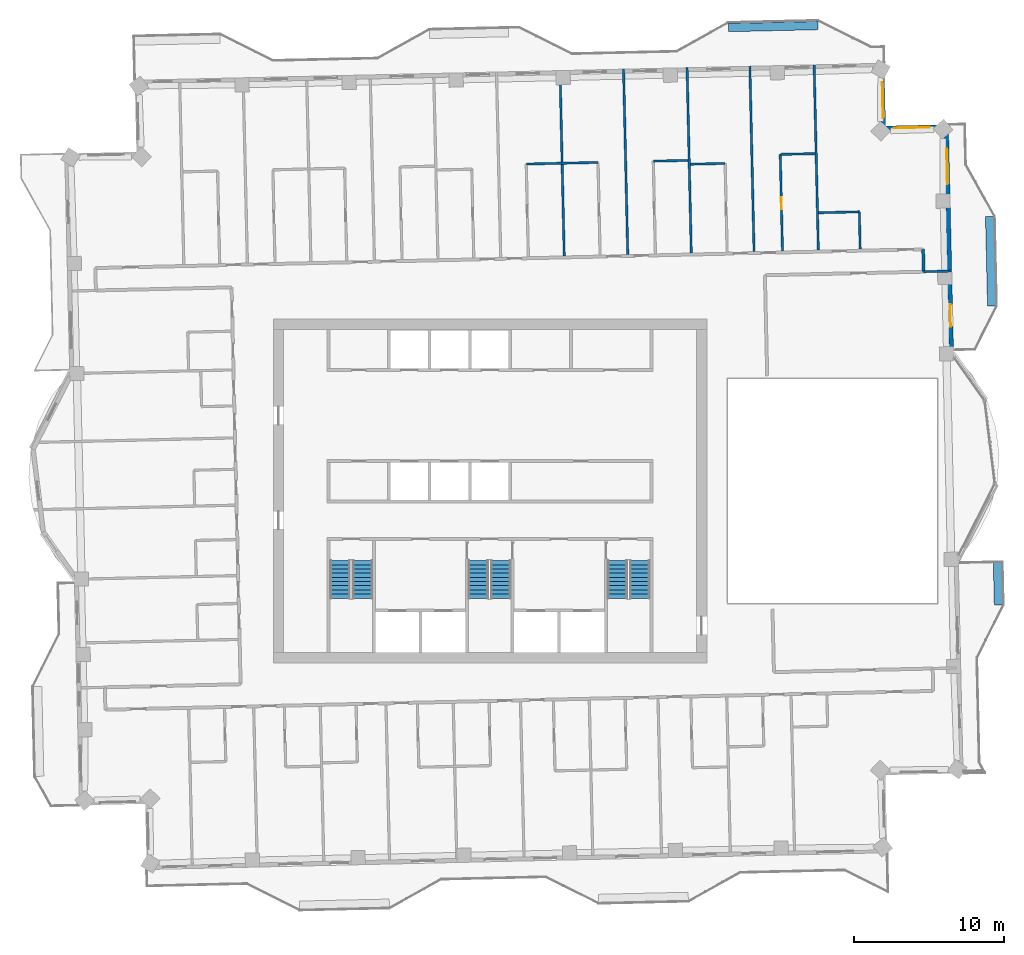
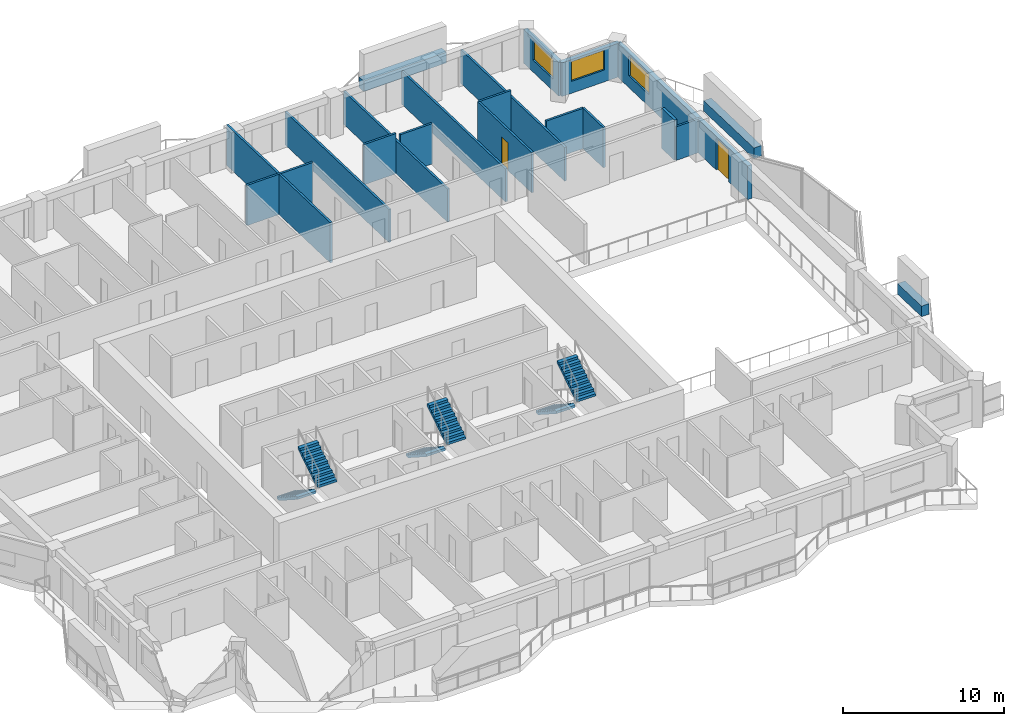
# One storey, part 13 of 18: 20 walls, 6 stair flights, 3 windows, 2 doors, 5 openings, 3 elements without a shape of their own.
"""IFC4 building model written with IfcOpenShell, lengths in metres."""

from ifc_helpers import new_model, si_unit, direction, frame, frame_2d, origin, place, context, subcontext, project, spatial, polyline, rectangle, outline, extrude, material, layer, layer_set, type_object, element, fill, aggregate, save


model = new_model("IFC4")

# Units and contexts
model_context = context("Model", 3, precision=1e-05, world=origin(), true_north=direction((0.0, 1.0)))
body_context = subcontext(model_context, "Body", "Model", "MODEL_VIEW")
ifc_project = project(units=[si_unit("LENGTHUNIT", "METRE"), si_unit("AREAUNIT", "SQUARE_METRE"), si_unit("VOLUMEUNIT", "CUBIC_METRE"), si_unit("PLANEANGLEUNIT", "RADIAN"), si_unit("MASSUNIT", "GRAM", prefix="KILO")], contexts=[model_context])

# Site, building, storey
site_placement = place(None, origin())
site = spatial("IfcSite", under=ifc_project, at=site_placement, CompositionType="ELEMENT")
building_placement = place(site_placement, origin())
building = spatial("IfcBuilding", under=site, at=building_placement, Name="Mangrove Gate Tower", CompositionType="ELEMENT")
storey_placement = place(building_placement, frame((0.0, 0.0, 290.699951171875)))
storey = spatial("IfcBuildingStorey", under=building, at=storey_placement, Name="L74", CompositionType="ELEMENT", Elevation=290.699951171875)

# Wall
ifc_material_1 = material(Name="Gypsum board on steel stud, EI 60", Category="steel")
ifc_layer_1 = layer(ifc_material_1, 0.199951171875)
ifc_layer_set_1 = layer_set([ifc_layer_1], Name="Corridor wall EI 60")
wall_type_1 = type_object("IfcWallType", Name="Corridor wall EI 60", PredefinedType="PARTITIONING", material=ifc_layer_set_1)
wall_1_placement = place(storey_placement, frame((29.001953125, 14.675048828125, 0.0), z_axis=(0.0, 0.0, 1.0), x_axis=(-0.022617910375, 0.999744182344, 0.0)))
element("IfcWall", 1, at=wall_1_placement, inside=storey, type_object=wall_type_1, Name="WALL-L74-058", PredefinedType="PARTITIONING", context=body_context, shape_type="SweptSolid", body=[
    extrude(rectangle(XDim=1.50048828125, YDim=0.199951171875, at=frame_2d((0.750244140625, 0.0))), origin(), (0.0, 0.0, 1.0), 3.050048828125),
])

# Wall, openings, door, window
ifc_material_2 = material(Name="Limestone", Category="masonry")
ifc_layer_2 = layer(ifc_material_2, 0.0400390625, Name="Limestone cladding")
ifc_material_3 = material(Name="Ventilated air gap")
ifc_layer_3 = layer(ifc_material_3, 0.0400390625, Name="Ventilated cavity")
ifc_material_4 = material(Name="Mineral wool insulation")
ifc_layer_4 = layer(ifc_material_4, 0.06005859375, Name="Insulation")
ifc_material_5 = material(Name="Breather membrane")
ifc_layer_5 = layer(ifc_material_5, 0.001953125, Name="Breather membrane")
ifc_material_6 = material(Name="Concrete C20/25 blockwork", Category="masonry")
ifc_layer_6 = layer(ifc_material_6, 0.14990234375, Name="Blockwork backing wall")
ifc_material_7 = material(Name="Gypsum plaster")
ifc_layer_7 = layer(ifc_material_7, 0.008056640625, Name="Internal plaster")
ifc_layer_set_2 = layer_set([ifc_layer_2, ifc_layer_3, ifc_layer_4, ifc_layer_5, ifc_layer_6, ifc_layer_7], Name="External wall 300 limestone cladding")
wall_type_2 = type_object("IfcWallType", Name="External wall 300 limestone cladding", PredefinedType="SOLIDWALL", material=ifc_layer_set_2)
wall_2_placement = place(storey_placement, frame((30.864990234375, 8.716064453125, 0.0), z_axis=(0.0, 0.0, 1.0), x_axis=(-0.022682425427, 0.999742720692, 0.0)))
wall_2 = element("IfcWall", 2, at=wall_2_placement, inside=storey, type_object=wall_type_2, Name="WALL-L74-E2s1", PredefinedType="SOLIDWALL", context=body_context, shape_type="SweptSolid", body=[
    extrude(rectangle(XDim=15.64990234375, YDim=0.300048828125, at=frame_2d((7.824951171875, 0.0))), origin(), (0.0, 0.0, 1.0), 2.550048828125),
])
opening_1_placement = place(wall_2_placement, frame((2.279052734375, 0.0, 0.0)))
opening_1 = element("IfcOpeningElement", 3, at=opening_1_placement, cuts=wall_2, Name="Opening BD1", PredefinedType="OPENING", context=body_context, shape_type="SweptSolid", body=[
    extrude(rectangle(XDim=1.5, YDim=2.39990234375, at=frame_2d((0.75, 1.199951171875))), frame((0.0, 0.159912109375, 0.0), z_axis=(0.0, -1.0, 0.0), x_axis=(1.0, 0.0, 0.0)), (0.0, 0.0, 1.0), 0.320068359375),
])
opening_2_placement = place(wall_2_placement, frame((11.798095703125, 0.0, 0.89990234375)))
opening_2 = element("IfcOpeningElement", 4, at=opening_2_placement, cuts=wall_2, Name="Opening W2", PredefinedType="OPENING", context=body_context, shape_type="SweptSolid", body=[
    extrude(rectangle(XDim=2.39990234375, YDim=1.5, at=frame_2d((1.199951171875, 0.75))), frame((0.0, 0.159912109375, 0.0), z_axis=(0.0, -1.0, 0.0), x_axis=(1.0, 0.0, 0.0)), (0.0, 0.0, 1.0), 0.320068359375),
])
ifc_material_8 = material(Name="Aluminium frame with laminated clear glass", Category="aluminium")
door_type_1 = type_object("IfcDoorType", Name="Balcony sliding door 1500x2400", OperationType="SLIDING_TO_LEFT", PredefinedType="DOOR", material=ifc_material_8)
door_1_placement = place(opening_1_placement, origin())
door_1 = element("IfcDoor", 5, at=door_1_placement, inside=storey, type_object=door_type_1, Name="DOOR-L74-E2-1", OperationType="SLIDING_TO_LEFT", OverallHeight=2.39990234375, OverallWidth=1.5, PredefinedType="DOOR", context=body_context, shape_type="SweptSolid", body=[
    extrude(rectangle(XDim=1.5, YDim=2.39990234375, at=frame_2d((0.75, 1.199951171875))), frame((0.0, 0.02490234375, 0.0), z_axis=(0.0, -1.0, 0.0), x_axis=(1.0, 0.0, 0.0)), (0.0, 0.0, 1.0), 0.050048828125),
])
fill(opening_1, door_1)
ifc_material_9 = material(Name="Aluminium frame with double-glazed low-e glass", Category="aluminium")
window_type = type_object("IfcWindowType", Name="Corner room window 2400x1500", PartitioningType="DOUBLE_PANEL_VERTICAL", PredefinedType="WINDOW", material=ifc_material_9)
window_1_placement = place(opening_2_placement, origin())
window_1 = element("IfcWindow", 6, at=window_1_placement, inside=storey, type_object=window_type, Name="WIN-L74-E2-2", OverallHeight=1.5, OverallWidth=2.39990234375, PartitioningType="DOUBLE_PANEL_VERTICAL", PredefinedType="WINDOW", context=body_context, shape_type="SweptSolid", body=[
    extrude(rectangle(XDim=2.39990234375, YDim=1.5, at=frame_2d((1.199951171875, 0.75))), frame((0.0, 0.030029296875, 0.0), z_axis=(0.0, -1.0, 0.0), x_axis=(1.0, 0.0, 0.0)), (0.0, 0.0, 1.0), 0.06005859375),
])
fill(opening_2, window_1)

# Wall, opening, window
wall_3_placement = place(storey_placement, frame((30.510009765625, 24.362060546875, 0.0), z_axis=(0.0, 0.0, 1.0), x_axis=(-0.999739037152, -0.022844202663, 0.0)))
wall_3 = element("IfcWall", 7, at=wall_3_placement, inside=storey, type_object=wall_type_2, Name="WALL-L74-N3", PredefinedType="SOLIDWALL", context=body_context, shape_type="SweptSolid", body=[
    extrude(rectangle(XDim=4.199951171875, YDim=0.300048828125, at=frame_2d((2.10009765625, 0.0))), origin(), (0.0, 0.0, 1.0), 2.550048828125),
])
opening_3_placement = place(wall_3_placement, frame((1.10009765625, 0.0, 0.89990234375)))
opening_3 = element("IfcOpeningElement", 8, at=opening_3_placement, cuts=wall_3, Name="Opening W2", PredefinedType="OPENING", context=body_context, shape_type="SweptSolid", body=[
    extrude(rectangle(XDim=2.39990234375, YDim=1.5, at=frame_2d((1.199951171875, 0.75))), frame((0.0, 0.159912109375, 0.0), z_axis=(0.0, -1.0, 0.0), x_axis=(1.0, 0.0, 0.0)), (0.0, 0.0, 1.0), 0.320068359375),
])
window_2_placement = place(opening_3_placement, origin())
window_2 = element("IfcWindow", 9, at=window_2_placement, inside=storey, type_object=window_type, Name="WIN-L74-N3-1", OverallHeight=1.5, OverallWidth=2.39990234375, PartitioningType="DOUBLE_PANEL_VERTICAL", PredefinedType="WINDOW", context=body_context, shape_type="SweptSolid", body=[
    extrude(rectangle(XDim=2.39990234375, YDim=1.5, at=frame_2d((1.199951171875, 0.75))), frame((0.0, 0.030029296875, 0.0), z_axis=(0.0, -1.0, 0.0), x_axis=(1.0, 0.0, 0.0)), (0.0, 0.0, 1.0), 0.06005859375),
])
fill(opening_3, window_2)

wall_4_placement = place(storey_placement, frame((26.31103515625, 24.26611328125, 0.0), z_axis=(0.0, 0.0, 1.0), x_axis=(-0.022611811187, 0.999744320311, 0.0)))
wall_4 = element("IfcWall", 10, at=wall_4_placement, inside=storey, type_object=wall_type_2, Name="WALL-L74-E4", PredefinedType="SOLIDWALL", context=body_context, shape_type="SweptSolid", body=[
    extrude(rectangle(XDim=4.199951171875, YDim=0.300048828125, at=frame_2d((2.10009765625, 0.0))), origin(), (0.0, 0.0, 1.0), 2.550048828125),
])
opening_4_placement = place(wall_4_placement, frame((0.68798828125, 0.0, 0.89990234375)))
opening_4 = element("IfcOpeningElement", 11, at=opening_4_placement, cuts=wall_4, Name="Opening W2", PredefinedType="OPENING", context=body_context, shape_type="SweptSolid", body=[
    extrude(rectangle(XDim=2.39990234375, YDim=1.5, at=frame_2d((1.199951171875, 0.75))), frame((0.0, 0.159912109375, 0.0), z_axis=(0.0, -1.0, 0.0), x_axis=(1.0, 0.0, 0.0)), (0.0, 0.0, 1.0), 0.320068359375),
])
window_3_placement = place(opening_4_placement, origin())
window_3 = element("IfcWindow", 12, at=window_3_placement, inside=storey, type_object=window_type, Name="WIN-L74-E4-1", OverallHeight=1.5, OverallWidth=2.39990234375, PartitioningType="DOUBLE_PANEL_VERTICAL", PredefinedType="WINDOW", context=body_context, shape_type="SweptSolid", body=[
    extrude(rectangle(XDim=2.39990234375, YDim=1.5, at=frame_2d((1.199951171875, 0.75))), frame((0.0, 0.030029296875, 0.0), z_axis=(0.0, -1.0, 0.0), x_axis=(1.0, 0.0, 0.0)), (0.0, 0.0, 1.0), 0.06005859375),
])
fill(opening_4, window_3)

# Walls
ifc_material_10 = material(Name="Gypsum board on steel stud, EI 60", Category="steel")
ifc_layer_8 = layer(ifc_material_10, 0.14990234375)
ifc_layer_set_3 = layer_set([ifc_layer_8], Name="Party wall 150 EI 60")
wall_type_3 = type_object("IfcWallType", Name="Party wall 150 EI 60", PredefinedType="PARTITIONING", material=ifc_layer_set_3)
wall_5_placement = place(storey_placement, frame((29.0048828125, 14.675048828125, 0.0), z_axis=(0.0, 0.0, 1.0), x_axis=(0.999737243051, 0.022922583999, 0.0)))
element("IfcWall", 13, at=wall_5_placement, inside=storey, type_object=wall_type_3, Name="WALL-L74-059", PredefinedType="PARTITIONING", context=body_context, shape_type="SweptSolid", body=[
    extrude(rectangle(XDim=1.87451171875, YDim=0.14990234375, at=frame_2d((0.937255859375, 0.0))), origin(), (0.0, 0.0, 1.0), 2.550048828125),
])
wall_6_placement = place(storey_placement, frame((4.9609375, 15.72998046875, 0.0), z_axis=(0.0, 0.0, 1.0), x_axis=(-0.022661475803, 0.999743195783, 0.0)))
element("IfcWall", 14, at=wall_6_placement, inside=storey, type_object=wall_type_3, Name="WALL-L74-073", PredefinedType="PARTITIONING", context=body_context, shape_type="SweptSolid", body=[
    extrude(rectangle(XDim=12.400146484375, YDim=0.14990234375, at=frame_2d((6.2001953125, 0.0))), origin(), (0.0, 0.0, 1.0), 3.050048828125),
])
for number, where, z_axis, x_axis, name in (
    (15, (9.2099609375, 15.825927734375, 0.0), (0.0, 0.0, 1.0), (-0.022661475803, 0.999743195783, 0.0), "WALL-L74-075"),
    (16, (13.458984375, 15.923095703125, 0.0), (0.0, 0.0, 1.0), (-0.022661475803, 0.999743195783, 0.0), "WALL-L74-077"),
    (17, (17.657958984375, 16.01806640625, 0.0), (0.0, 0.0, 1.0), (-0.022661475803, 0.999743195783, 0.0), "WALL-L74-079"),
):
    element("IfcWall", number, at=place(storey_placement, frame(where, z_axis=z_axis, x_axis=x_axis)), inside=storey, type_object=wall_type_3, Name=name, PredefinedType="PARTITIONING", context=body_context, shape_type="SweptSolid", body=[
        extrude(rectangle(XDim=12.400146484375, YDim=0.14990234375, at=frame_2d((6.2001953125, 0.0))), origin(), (0.0, 0.0, 1.0), 2.5),
    ])

# Wall, opening, door
wall_7_placement = place(storey_placement, frame((19.55810546875, 16.06103515625, 0.0), z_axis=(0.0, 0.0, 1.0), x_axis=(-0.022790087107, 0.999740272236, 0.0)))
wall_7 = element("IfcWall", 18, at=wall_7_placement, inside=storey, type_object=wall_type_3, Name="WALL-L74-080", PredefinedType="PARTITIONING", context=body_context, shape_type="SweptSolid", body=[
    extrude(rectangle(XDim=6.459716796875, YDim=0.14990234375, at=frame_2d((3.22998046875, 0.0))), origin(), (0.0, 0.0, 1.0), 3.050048828125),
])
opening_5_placement = place(wall_7_placement, frame((2.780029296875, 0.0, 0.0)))
opening_5 = element("IfcOpeningElement", 19, at=opening_5_placement, cuts=wall_7, Name="Opening ED", PredefinedType="OPENING", context=body_context, shape_type="SweptSolid", body=[
    extrude(rectangle(XDim=0.800048828125, YDim=2.10009765625, at=frame_2d((0.39990234375, 1.050048828125))), frame((0.0, 0.0849609375, 0.0), z_axis=(0.0, -1.0, 0.0), x_axis=(1.0, 0.0, 0.0)), (0.0, 0.0, 1.0), 0.169921875),
])
ifc_material_11 = material(Name="Timber door leaf", Category="wood")
door_type_2 = type_object("IfcDoorType", Name="En-suite door 800", OperationType="SINGLE_SWING_LEFT", PredefinedType="DOOR", material=ifc_material_11)
door_2_placement = place(opening_5_placement, origin())
door_2 = element("IfcDoor", 20, at=door_2_placement, inside=storey, type_object=door_type_2, Name="DOOR-L74-ENS-c310", OperationType="SINGLE_SWING_RIGHT", OverallHeight=2.10009765625, OverallWidth=0.800048828125, PredefinedType="DOOR", context=body_context, shape_type="SweptSolid", body=[
    extrude(rectangle(XDim=0.800048828125, YDim=2.10009765625, at=frame_2d((0.39990234375, 1.050048828125))), frame((0.0, 0.02490234375, 0.0), z_axis=(0.0, -1.0, 0.0), x_axis=(1.0, 0.0, 0.0)), (0.0, 0.0, 1.0), 0.050048828125),
])
fill(opening_5, door_2)

# Walls
wall_8_placement = place(storey_placement, frame((21.95703125, 16.115966796875, 0.0), z_axis=(0.0, 0.0, 1.0), x_axis=(-0.022663260168, 0.999743155335, 0.0)))
element("IfcWall", 21, at=wall_8_placement, inside=storey, type_object=wall_type_3, Name="WALL-L74-081", PredefinedType="PARTITIONING", context=body_context, shape_type="SweptSolid", body=[
    extrude(rectangle(XDim=12.399169921875, YDim=0.14990234375, at=frame_2d((6.19970703125, 0.0))), origin(), (0.0, 0.0, 1.0), 2.550048828125),
])
wall_9_placement = place(storey_placement, frame((24.756103515625, 16.178955078125, 0.0), z_axis=(0.0, 0.0, 1.0), x_axis=(-0.022464044534, 0.999747651512, 0.0)))
element("IfcWall", 22, at=wall_9_placement, inside=storey, type_object=wall_type_3, Name="WALL-L74-082", PredefinedType="PARTITIONING", context=body_context, shape_type="SweptSolid", body=[
    extrude(rectangle(XDim=2.499755859375, YDim=0.14990234375, at=frame_2d((1.25, 0.0))), origin(), (0.0, 0.0, 1.0), 3.050048828125),
])
wall_10_placement = place(storey_placement, frame((21.97705078125, 18.616943359375, 0.0), z_axis=(0.0, 0.0, 1.0), x_axis=(0.999749227207, 0.022393809408, 0.0)))
element("IfcWall", 23, at=wall_10_placement, inside=storey, type_object=wall_type_3, Name="WALL-L74-083", PredefinedType="PARTITIONING", context=body_context, shape_type="SweptSolid", body=[
    extrude(rectangle(XDim=2.7255859375, YDim=0.14990234375, at=frame_2d((1.36279296875, 0.0))), origin(), (0.0, 0.0, 1.0), 3.050048828125),
])
wall_11_placement = place(storey_placement, frame((13.40087890625, 21.863037109375, 0.0), z_axis=(0.0, 0.0, 1.0), x_axis=(0.99974053329, 0.022778632478, 0.0)))
element("IfcWall", 24, at=wall_11_placement, inside=storey, type_object=wall_type_3, Name="WALL-L74-085", PredefinedType="PARTITIONING", context=body_context, shape_type="SweptSolid", body=[
    extrude(rectangle(XDim=2.32568359375, YDim=0.14990234375, at=frame_2d((1.162841796875, 0.0))), origin(), (0.0, 0.0, 1.0), 3.050048828125),
])
wall_12_placement = place(storey_placement, frame((2.423095703125, 21.8740234375, 0.0), z_axis=(0.0, 0.0, 1.0), x_axis=(0.999742675121, 0.022684433919, 0.0)))
element("IfcWall", 25, at=wall_12_placement, inside=storey, type_object=wall_type_3, Name="WALL-L74-089", PredefinedType="PARTITIONING", context=body_context, shape_type="SweptSolid", body=[
    extrude(rectangle(XDim=4.800048828125, YDim=0.14990234375, at=frame_2d((2.39990234375, 0.0))), origin(), (0.0, 0.0, 1.0), 3.050048828125),
])
wall_13_placement = place(storey_placement, frame((10.9208984375, 22.06689453125, 0.0), z_axis=(0.0, 0.0, 1.0), x_axis=(0.999750007167, 0.022358961731, 0.0)))
element("IfcWall", 26, at=wall_13_placement, inside=storey, type_object=wall_type_3, Name="WALL-L74-090", PredefinedType="PARTITIONING", context=body_context, shape_type="SweptSolid", body=[
    extrude(rectangle(XDim=2.32568359375, YDim=0.14990234375, at=frame_2d((1.162841796875, 0.0))), origin(), (0.0, 0.0, 1.0), 3.050048828125),
])
wall_14_placement = place(storey_placement, frame((19.4130859375, 22.52001953125, 0.0), z_axis=(0.0, 0.0, 1.0), x_axis=(0.999749954681, 0.022361308448, 0.0)))
element("IfcWall", 27, at=wall_14_placement, inside=storey, type_object=wall_type_3, Name="WALL-L74-091", PredefinedType="PARTITIONING", context=body_context, shape_type="SweptSolid", body=[
    extrude(rectangle(XDim=2.325439453125, YDim=0.14990234375, at=frame_2d((1.16259765625, 0.0))), origin(), (0.0, 0.0, 1.0), 3.050048828125),
])
ifc_material_12 = material(Name="Concrete C32/40", Category="concrete")
ifc_layer_9 = layer(ifc_material_12, 0.199951171875, Name="Planter trough wall")
ifc_material_13 = material(Name="Bituminous waterproofing membrane")
ifc_layer_10 = layer(ifc_material_13, 0.0048828125, Name="Waterproofing")
ifc_material_14 = material(Name="Drainage board and gravel")
ifc_layer_11 = layer(ifc_material_14, 0.044921875, Name="Drainage layer")
ifc_material_15 = material(Name="Planting soil")
ifc_layer_12 = layer(ifc_material_15, 0.300048828125, Name="Growing medium")
ifc_layer_set_4 = layer_set([ifc_layer_9, ifc_layer_10, ifc_layer_11, ifc_layer_12], Name="Planter wall 550 C32/40")
wall_type_4 = type_object("IfcWallType", Name="Planter wall 550 C32/40", PredefinedType="USERDEFINED", material=ifc_layer_set_4)
wall_15_placement = place(storey_placement, frame((34.001953125, -7.616943359375, 0.0), z_axis=(0.0, 0.0, 1.0), x_axis=(-0.022929749512, 0.99973707873, 0.0)))
element("IfcWall", 28, at=wall_15_placement, inside=storey, type_object=wall_type_4, Name="PLANTER L74 E0.1", ObjectType="PLANTER", PredefinedType="USERDEFINED", context=body_context, shape_type="SweptSolid", body=[
    extrude(rectangle(XDim=2.874755859375, YDim=0.550048828125, at=frame_2d((1.4375, 0.0))), origin(), (0.0, 0.0, 1.0), 0.800048828125),
])
for number, where, z_axis, x_axis, name in (
    (29, (33.548095703125, 12.3779296875, 0.0), (0.0, 0.0, 1.0), (-0.022665943652, 0.999743094499, 0.0), "PLANTER L74 E1.1"),
    (30, (15.93798828125, 30.998046875, 0.0), (0.0, 0.0, 1.0), (0.999743094499, 0.022665943652, 0.0), "PLANTER L74 N0.1"),
):
    element("IfcWall", number, at=place(storey_placement, frame(where, z_axis=z_axis, x_axis=x_axis)), inside=storey, type_object=wall_type_4, Name=name, ObjectType="PLANTER", PredefinedType="USERDEFINED", context=body_context, shape_type="SweptSolid", body=[
        extrude(rectangle(XDim=5.99951171875, YDim=0.550048828125, at=frame_2d((2.999755859375, 0.0))), origin(), (0.0, 0.0, 1.0), 0.800048828125),
    ])

# Stair, stair flights
ifc_material_16 = material(Name="Concrete C40/50", Category="concrete")
stair_type = type_object("IfcStairType", Name="Core stair 1350", PredefinedType="HALF_TURN_STAIR", material=ifc_material_16)
stair_1_placement = place(storey_placement, origin())
stair_1 = element("IfcStair", 31, at=stair_1_placement, inside=storey, type_object=stair_type, Name="L74 Stair 1", PredefinedType="HALF_TURN_STAIR")
ifc_material_17 = material(Name="Concrete C40/50", Category="concrete")
stair_flight_type = type_object("IfcStairFlightType", Name="Core stair flight 1350", PredefinedType="STRAIGHT", material=ifc_material_17)
stair_flight_1_placement = place(storey_placement, frame((-10.02490234375, -4.64990234375, 0.0), z_axis=(0.0, 0.0, 1.0), x_axis=(0.0, -1.0, 0.0)))
stair_flight_1 = element("IfcStairFlight", 32, at=stair_flight_1_placement, type_object=stair_flight_type, Name="ST1 flight 1", NumberOfRisers=10, NumberOfTreads=9, PredefinedType="STRAIGHT", RiserHeight=0.18, TreadLength=0.28, context=body_context, shape_type="SweptSolid", body=[
    extrude(outline(polyline([(0.0, 0.0), (0.0, 0.179931640625), (0.280029296875, 0.179931640625), (0.280029296875, 0.360107421875), (0.56005859375, 0.360107421875), (0.56005859375, 0.5400390625), (0.840087890625, 0.5400390625), (0.840087890625, 0.719970703125), (1.1201171875, 0.719970703125), (1.1201171875, 0.89990234375), (1.39990234375, 0.89990234375), (1.39990234375, 1.080078125), (1.679931640625, 1.080078125), (1.679931640625, 1.260009765625), (1.9599609375, 1.260009765625), (1.9599609375, 1.43994140625), (2.239990234375, 1.43994140625), (2.239990234375, 1.6201171875), (2.52001953125, 1.6201171875), (2.52001953125, 1.800048828125), (2.52001953125, 1.44189453125), (0.277099609375, 0.0), (0.0, 0.0)])), frame((0.0, 0.675048828125, 0.0), z_axis=(0.0, -1.0, 0.0), x_axis=(1.0, 0.0, 0.0)), (0.0, 0.0, 1.0), 1.35009765625),
])
stair_flight_2_placement = place(storey_placement, frame((-8.52490234375, -7.169921875, 1.800048828125), z_axis=(0.0, 0.0, 1.0), x_axis=(0.0, 1.0, 0.0)))
stair_flight_2 = element("IfcStairFlight", 33, at=stair_flight_2_placement, type_object=stair_flight_type, Name="ST1 flight 2", NumberOfRisers=10, NumberOfTreads=9, PredefinedType="STRAIGHT", RiserHeight=0.18, TreadLength=0.28, context=body_context, shape_type="SweptSolid", body=[
    extrude(outline(polyline([(0.0, 0.0), (0.0, 0.179931640625), (0.280029296875, 0.179931640625), (0.280029296875, 0.360107421875), (0.56005859375, 0.360107421875), (0.56005859375, 0.5400390625), (0.840087890625, 0.5400390625), (0.840087890625, 0.719970703125), (1.1201171875, 0.719970703125), (1.1201171875, 0.89990234375), (1.39990234375, 0.89990234375), (1.39990234375, 1.080078125), (1.679931640625, 1.080078125), (1.679931640625, 1.260009765625), (1.9599609375, 1.260009765625), (1.9599609375, 1.43994140625), (2.239990234375, 1.43994140625), (2.239990234375, 1.6201171875), (2.52001953125, 1.6201171875), (2.52001953125, 1.800048828125), (2.52001953125, 1.44189453125), (0.277099609375, 0.0), (0.0, 0.0)])), frame((0.0, 0.675048828125, 0.0), z_axis=(0.0, -1.0, 0.0), x_axis=(1.0, 0.0, 0.0)), (0.0, 0.0, 1.0), 1.35009765625),
])
aggregate(stair_1, [stair_flight_1, stair_flight_2])

stair_2_placement = place(storey_placement, origin())
stair_2 = element("IfcStair", 34, at=stair_2_placement, inside=storey, type_object=stair_type, Name="L74 Stair 2", PredefinedType="HALF_TURN_STAIR")
stair_flight_3_placement = place(storey_placement, frame((-0.77490234375, -4.64990234375, 0.0), z_axis=(0.0, 0.0, 1.0), x_axis=(0.0, -1.0, 0.0)))
stair_flight_3 = element("IfcStairFlight", 35, at=stair_flight_3_placement, type_object=stair_flight_type, Name="ST2 flight 1", NumberOfRisers=10, NumberOfTreads=9, PredefinedType="STRAIGHT", RiserHeight=0.18, TreadLength=0.28, context=body_context, shape_type="SweptSolid", body=[
    extrude(outline(polyline([(0.0, 0.0), (0.0, 0.179931640625), (0.280029296875, 0.179931640625), (0.280029296875, 0.360107421875), (0.56005859375, 0.360107421875), (0.56005859375, 0.5400390625), (0.840087890625, 0.5400390625), (0.840087890625, 0.719970703125), (1.1201171875, 0.719970703125), (1.1201171875, 0.89990234375), (1.39990234375, 0.89990234375), (1.39990234375, 1.080078125), (1.679931640625, 1.080078125), (1.679931640625, 1.260009765625), (1.9599609375, 1.260009765625), (1.9599609375, 1.43994140625), (2.239990234375, 1.43994140625), (2.239990234375, 1.6201171875), (2.52001953125, 1.6201171875), (2.52001953125, 1.800048828125), (2.52001953125, 1.44189453125), (0.277099609375, 0.0), (0.0, 0.0)])), frame((0.0, 0.675048828125, 0.0), z_axis=(0.0, -1.0, 0.0), x_axis=(1.0, 0.0, 0.0)), (0.0, 0.0, 1.0), 1.35009765625),
])
stair_flight_4_placement = place(storey_placement, frame((0.72509765625, -7.169921875, 1.800048828125), z_axis=(0.0, 0.0, 1.0), x_axis=(0.0, 1.0, 0.0)))
stair_flight_4 = element("IfcStairFlight", 36, at=stair_flight_4_placement, type_object=stair_flight_type, Name="ST2 flight 2", NumberOfRisers=10, NumberOfTreads=9, PredefinedType="STRAIGHT", RiserHeight=0.18, TreadLength=0.28, context=body_context, shape_type="SweptSolid", body=[
    extrude(outline(polyline([(0.0, 0.0), (0.0, 0.179931640625), (0.280029296875, 0.179931640625), (0.280029296875, 0.360107421875), (0.56005859375, 0.360107421875), (0.56005859375, 0.5400390625), (0.840087890625, 0.5400390625), (0.840087890625, 0.719970703125), (1.1201171875, 0.719970703125), (1.1201171875, 0.89990234375), (1.39990234375, 0.89990234375), (1.39990234375, 1.080078125), (1.679931640625, 1.080078125), (1.679931640625, 1.260009765625), (1.9599609375, 1.260009765625), (1.9599609375, 1.43994140625), (2.239990234375, 1.43994140625), (2.239990234375, 1.6201171875), (2.52001953125, 1.6201171875), (2.52001953125, 1.800048828125), (2.52001953125, 1.44189453125), (0.277099609375, 0.0), (0.0, 0.0)])), frame((0.0, 0.675048828125, 0.0), z_axis=(0.0, -1.0, 0.0), x_axis=(1.0, 0.0, 0.0)), (0.0, 0.0, 1.0), 1.35009765625),
])
aggregate(stair_2, [stair_flight_3, stair_flight_4])

stair_3_placement = place(storey_placement, origin())
stair_3 = element("IfcStair", 37, at=stair_3_placement, inside=storey, type_object=stair_type, Name="L74 Stair 3", PredefinedType="HALF_TURN_STAIR")
stair_flight_5_placement = place(storey_placement, frame((8.52490234375, -4.64990234375, 0.0), z_axis=(0.0, 0.0, 1.0), x_axis=(0.0, -1.0, 0.0)))
stair_flight_5 = element("IfcStairFlight", 38, at=stair_flight_5_placement, type_object=stair_flight_type, Name="ST3 flight 1", NumberOfRisers=10, NumberOfTreads=9, PredefinedType="STRAIGHT", RiserHeight=0.18, TreadLength=0.28, context=body_context, shape_type="SweptSolid", body=[
    extrude(outline(polyline([(0.0, 0.0), (0.0, 0.179931640625), (0.280029296875, 0.179931640625), (0.280029296875, 0.360107421875), (0.56005859375, 0.360107421875), (0.56005859375, 0.5400390625), (0.840087890625, 0.5400390625), (0.840087890625, 0.719970703125), (1.1201171875, 0.719970703125), (1.1201171875, 0.89990234375), (1.39990234375, 0.89990234375), (1.39990234375, 1.080078125), (1.679931640625, 1.080078125), (1.679931640625, 1.260009765625), (1.9599609375, 1.260009765625), (1.9599609375, 1.43994140625), (2.239990234375, 1.43994140625), (2.239990234375, 1.6201171875), (2.52001953125, 1.6201171875), (2.52001953125, 1.800048828125), (2.52001953125, 1.44189453125), (0.277099609375, 0.0), (0.0, 0.0)])), frame((0.0, 0.675048828125, 0.0), z_axis=(0.0, -1.0, 0.0), x_axis=(1.0, 0.0, 0.0)), (0.0, 0.0, 1.0), 1.35009765625),
])
stair_flight_6_placement = place(storey_placement, frame((10.02490234375, -7.169921875, 1.800048828125), z_axis=(0.0, 0.0, 1.0), x_axis=(0.0, 1.0, 0.0)))
stair_flight_6 = element("IfcStairFlight", 39, at=stair_flight_6_placement, type_object=stair_flight_type, Name="ST3 flight 2", NumberOfRisers=10, NumberOfTreads=9, PredefinedType="STRAIGHT", RiserHeight=0.18, TreadLength=0.28, context=body_context, shape_type="SweptSolid", body=[
    extrude(outline(polyline([(0.0, 0.0), (0.0, 0.179931640625), (0.280029296875, 0.179931640625), (0.280029296875, 0.360107421875), (0.56005859375, 0.360107421875), (0.56005859375, 0.5400390625), (0.840087890625, 0.5400390625), (0.840087890625, 0.719970703125), (1.1201171875, 0.719970703125), (1.1201171875, 0.89990234375), (1.39990234375, 0.89990234375), (1.39990234375, 1.080078125), (1.679931640625, 1.080078125), (1.679931640625, 1.260009765625), (1.9599609375, 1.260009765625), (1.9599609375, 1.43994140625), (2.239990234375, 1.43994140625), (2.239990234375, 1.6201171875), (2.52001953125, 1.6201171875), (2.52001953125, 1.800048828125), (2.52001953125, 1.44189453125), (0.277099609375, 0.0), (0.0, 0.0)])), frame((0.0, 0.675048828125, 0.0), z_axis=(0.0, -1.0, 0.0), x_axis=(1.0, 0.0, 0.0)), (0.0, 0.0, 1.0), 1.35009765625),
])
aggregate(stair_3, [stair_flight_5, stair_flight_6])

save(model, "model.ifc")
